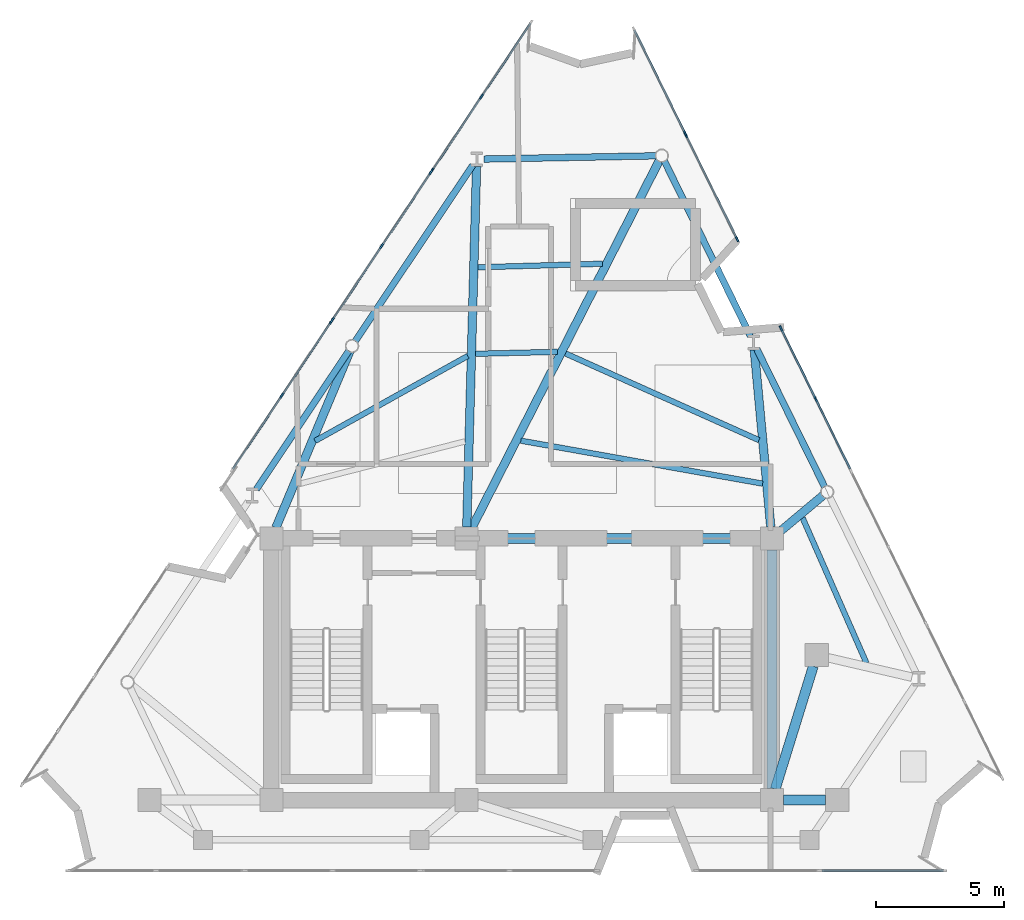
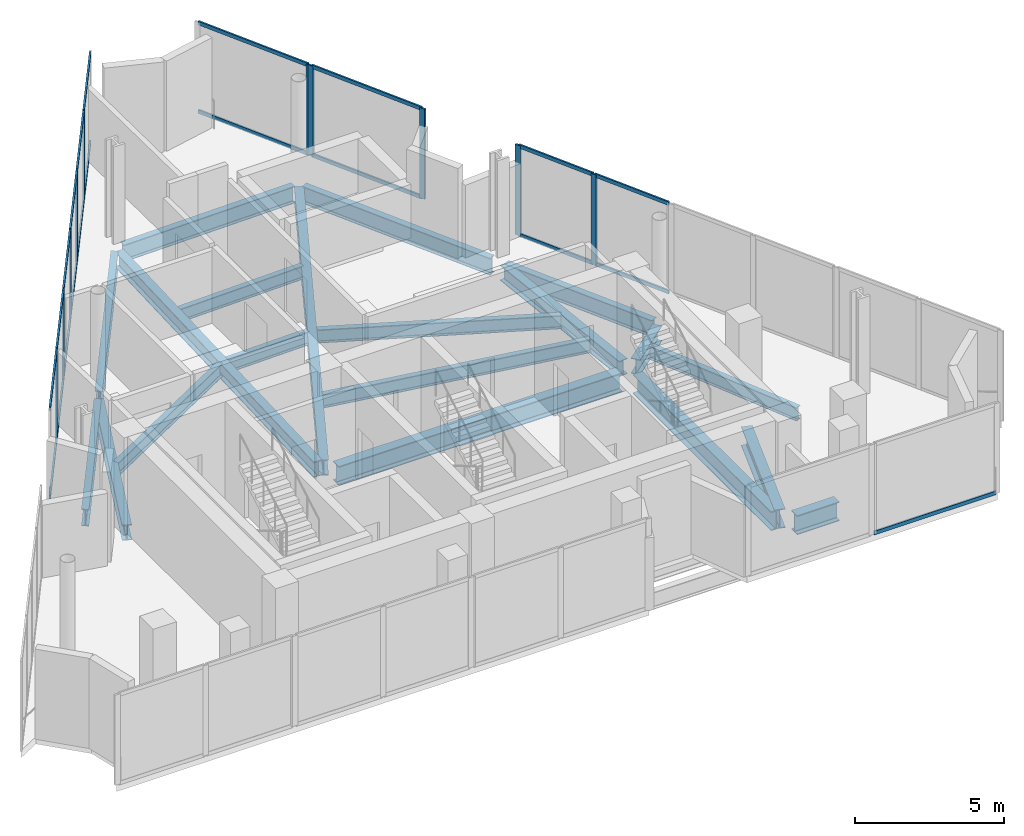
# One storey, part 3 of 9: 33 members, 20 beams, 7 elements without a shape of their own.
"""IFC4 building model written with IfcOpenShell, lengths in metres."""

from ifc_helpers import new_model, si_unit, direction, frame, origin, origin_2d, place, context, subcontext, project, spatial, rectangle, i_section, extrude, material, layer, layer_set, material_profile, profile_set, type_object, element, aggregate, save


model = new_model("IFC4")

# Units and contexts
model_context = context("Model", 3, precision=1e-05, world=origin(), true_north=direction((0.0, 1.0)))
body_context = subcontext(model_context, "Body", "Model", "MODEL_VIEW")
ifc_project = project(units=[si_unit("LENGTHUNIT", "METRE"), si_unit("AREAUNIT", "SQUARE_METRE"), si_unit("VOLUMEUNIT", "CUBIC_METRE"), si_unit("PLANEANGLEUNIT", "RADIAN"), si_unit("MASSUNIT", "GRAM", prefix="KILO")], contexts=[model_context])

# Site, building, storey
site_placement = place(None, origin())
site = spatial("IfcSite", under=ifc_project, at=site_placement, CompositionType="ELEMENT")
building_placement = place(site_placement, origin())
building = spatial("IfcBuilding", under=site, at=building_placement, Name="Almagre Mirador Tower", CompositionType="ELEMENT")
storey_placement = place(building_placement, frame((0.0, 0.0, 306.5)))
storey = spatial("IfcBuildingStorey", under=building, at=storey_placement, Name="L79", CompositionType="ELEMENT", Elevation=306.5)

# Beams
ifc_material_1 = material(Name="Steel ASTM A992 Grade 50", Category="steel")
ifc_material_profile_1 = material_profile(ifc_material_1, i_section(OverallWidth=0.214111328125, OverallDepth=0.549072265625, WebThickness=0.0146484375, FlangeThickness=0.023681640625, FilletRadius=0.01806640625, at=origin_2d()), Name="W21X93")
ifc_profile_set_1 = profile_set([ifc_material_profile_1], Name="Steel ASTM A992 Grade 50")
beam_type_1 = type_object("IfcBeamType", Name="BM-JST-W21X93", PredefinedType="JOIST", material=ifc_profile_set_1)
beam_1_placement = place(storey_placement, frame((50.740966796875, 9.88671875, -0.574462890625), z_axis=(-0.402759773965, 0.915305721863, 0.0), x_axis=(-0.915305721863, -0.402759773965, 0.0)))
element("IfcBeam", 1, at=beam_1_placement, inside=storey, type_object=beam_type_1, Name="L79 secondary floor joist PC05-PC06.2", PredefinedType="JOIST", context=body_context, shape_type="SweptSolid", body=[
    extrude(i_section(OverallWidth=0.214111328125, OverallDepth=0.549072265625, WebThickness=0.0146484375, FlangeThickness=0.023681640625, FilletRadius=0.01806640625, at=origin_2d()), origin(), (0.0, 0.0, 1.0), 6.1865234375),
])
beam_2_placement = place(storey_placement, frame((46.550048828125, 18.57763671875, -0.574462890625), z_axis=(-0.912603271466, 0.408846265617, 0.0), x_axis=(-0.408846265617, -0.912603271466, 0.0)))
element("IfcBeam", 2, at=beam_2_placement, inside=storey, type_object=beam_type_1, Name="L79 secondary floor joist PC07-PC08.2", PredefinedType="JOIST", context=body_context, shape_type="SweptSolid", body=[
    extrude(i_section(OverallWidth=0.214111328125, OverallDepth=0.549072265625, WebThickness=0.0146484375, FlangeThickness=0.023681640625, FilletRadius=0.01806640625, at=origin_2d()), origin(), (0.0, 0.0, 1.0), 8.259765625),
])
beam_3_placement = place(storey_placement, frame((46.692138671875, 16.883056640625, -0.574462890625), z_axis=(-0.984569639354, 0.174993214903, 0.0), x_axis=(-0.174993214903, -0.984569639354, 0.0)))
element("IfcBeam", 3, at=beam_3_placement, inside=storey, type_object=beam_type_1, Name="L79 secondary floor joist PC07-PC08.3", PredefinedType="JOIST", context=body_context, shape_type="SweptSolid", body=[
    extrude(i_section(OverallWidth=0.214111328125, OverallDepth=0.549072265625, WebThickness=0.0146484375, FlangeThickness=0.023681640625, FilletRadius=0.01806640625, at=origin_2d()), origin(), (0.0, 0.0, 1.0), 9.5693359375),
])
beam_4_placement = place(storey_placement, frame((40.4501953125, 25.452880859375, -0.574462890625), z_axis=(-0.999591141536, -0.028592827134, 0.0), x_axis=(0.028592827134, -0.999591141536, 0.0)))
element("IfcBeam", 4, at=beam_4_placement, inside=storey, type_object=beam_type_1, Name="L79 secondary floor joist PC08-PC09.1", PredefinedType="JOIST", context=body_context, shape_type="SweptSolid", body=[
    extrude(i_section(OverallWidth=0.214111328125, OverallDepth=0.549072265625, WebThickness=0.0146484375, FlangeThickness=0.023681640625, FilletRadius=0.01806640625, at=origin_2d()), origin(), (0.0, 0.0, 1.0), 4.849853515625),
])
beam_5_placement = place(storey_placement, frame((38.69677734375, 22.018310546875, -0.574462890625), z_axis=(-0.999725244584, -0.02344003715, 0.0), x_axis=(0.02344003715, -0.999725244584, 0.0)))
element("IfcBeam", 5, at=beam_5_placement, inside=storey, type_object=beam_type_1, Name="L79 secondary floor joist PC08-PC09.2", PredefinedType="JOIST", context=body_context, shape_type="SweptSolid", body=[
    extrude(i_section(OverallWidth=0.214111328125, OverallDepth=0.549072265625, WebThickness=0.0146484375, FlangeThickness=0.023681640625, FilletRadius=0.01806640625, at=origin_2d()), origin(), (0.0, 0.0, 1.0), 3.187255859375),
])
beam_6_placement = place(storey_placement, frame((35.201416015625, 21.859375, -0.574462890625), z_axis=(-0.873705351545, -0.486455505346, 0.0), x_axis=(0.486455505346, -0.873705351545, 0.0)))
element("IfcBeam", 6, at=beam_6_placement, inside=storey, type_object=beam_type_1, Name="L79 secondary floor joist PC09-PC10.2", PredefinedType="JOIST", context=body_context, shape_type="SweptSolid", body=[
    extrude(i_section(OverallWidth=0.214111328125, OverallDepth=0.549072265625, WebThickness=0.0146484375, FlangeThickness=0.023681640625, FilletRadius=0.01806640625, at=origin_2d()), origin(), (0.0, 0.0, 1.0), 6.8095703125),
])
ifc_material_2 = material(Name="Steel ASTM A992 Grade 50", Category="steel")
ifc_material_profile_2 = material_profile(ifc_material_2, i_section(OverallWidth=0.256103515625, OverallDepth=0.693115234375, WebThickness=0.014404296875, FlangeThickness=0.023681640625, FilletRadius=0.02197265625, at=origin_2d()), Name="W27X114")
ifc_profile_set_2 = profile_set([ifc_material_profile_2], Name="Steel ASTM A992 Grade 50")
beam_type_2 = type_object("IfcBeamType", Name="BM-SPN-W27X114", PredefinedType="SPANDREL", material=ifc_profile_set_2)
beam_7_placement = place(storey_placement, frame((49.10791015625, 16.75537109375, -0.646484375), z_axis=(-0.441280885173, 0.897369032439, 0.0), x_axis=(-0.897369032439, -0.441280885173, 0.0)))
element("IfcBeam", 7, at=beam_7_placement, inside=storey, type_object=beam_type_2, Name="L79 perimeter spandrel beam PC06-PC07", PredefinedType="SPANDREL", context=body_context, shape_type="SweptSolid", body=[
    extrude(i_section(OverallWidth=0.256103515625, OverallDepth=0.693115234375, WebThickness=0.014404296875, FlangeThickness=0.023681640625, FilletRadius=0.02197265625, at=origin_2d()), origin(), (0.0, 0.0, 1.0), 5.985107421875),
])
beam_8_placement = place(storey_placement, frame((46.215087890625, 22.6376953125, -0.646484375), z_axis=(-0.441260346392, 0.897379132085, 0.0), x_axis=(-0.897379132085, -0.441260346392, 0.0)))
element("IfcBeam", 8, at=beam_8_placement, inside=storey, type_object=beam_type_2, Name="L79 perimeter spandrel beam PC07-PC08", PredefinedType="SPANDREL", context=body_context, shape_type="SweptSolid", body=[
    extrude(i_section(OverallWidth=0.256103515625, OverallDepth=0.693115234375, WebThickness=0.014404296875, FlangeThickness=0.023681640625, FilletRadius=0.02197265625, at=origin_2d()), origin(), (0.0, 0.0, 1.0), 7.607666015625),
])
beam_9_placement = place(storey_placement, frame((42.541015625, 29.657958984375, -0.646484375), z_axis=(-0.999822125959, -0.018860446513, 0.0), x_axis=(0.018860446513, -0.999822125959, 0.0)))
element("IfcBeam", 9, at=beam_9_placement, inside=storey, type_object=beam_type_2, Name="L79 perimeter spandrel beam PC08-PC09", PredefinedType="SPANDREL", context=body_context, shape_type="SweptSolid", body=[
    extrude(i_section(OverallWidth=0.256103515625, OverallDepth=0.693115234375, WebThickness=0.014404296875, FlangeThickness=0.023681640625, FilletRadius=0.02197265625, at=origin_2d()), origin(), (0.0, 0.0, 1.0), 6.705322265625),
])
beam_10_placement = place(storey_placement, frame((35.393798828125, 29.2890625, -0.646484375), z_axis=(-0.555219210279, -0.831704051052, 0.0), x_axis=(0.831704051052, -0.555219210279, 0.0)))
element("IfcBeam", 10, at=beam_10_placement, inside=storey, type_object=beam_type_2, Name="L79 perimeter spandrel beam PC09-PC10", PredefinedType="SPANDREL", context=body_context, shape_type="SweptSolid", body=[
    extrude(i_section(OverallWidth=0.256103515625, OverallDepth=0.693115234375, WebThickness=0.014404296875, FlangeThickness=0.023681640625, FilletRadius=0.02197265625, at=origin_2d()), origin(), (0.0, 0.0, 1.0), 8.248291015625),
])
beam_11_placement = place(storey_placement, frame((30.56982421875, 22.06298828125, -0.646484375), z_axis=(-0.555229008561, -0.831697509947, 0.0), x_axis=(0.831697509947, -0.555229008561, 0.0)))
element("IfcBeam", 11, at=beam_11_placement, inside=storey, type_object=beam_type_2, Name="L79 perimeter spandrel beam PC10-PC11", PredefinedType="SPANDREL", context=body_context, shape_type="SweptSolid", body=[
    extrude(i_section(OverallWidth=0.256103515625, OverallDepth=0.693115234375, WebThickness=0.014404296875, FlangeThickness=0.023681640625, FilletRadius=0.02197265625, at=origin_2d()), origin(), (0.0, 0.0, 1.0), 6.49755859375),
])
ifc_material_3 = material(Name="Steel ASTM A992 Grade 50", Category="steel")
ifc_material_profile_3 = material_profile(ifc_material_3, i_section(OverallWidth=0.330078125, OverallDepth=0.635009765625, WebThickness=0.017822265625, FlangeThickness=0.031005859375, FilletRadius=0.02001953125, at=origin_2d()), Name="W24X162")
ifc_profile_set_3 = profile_set([ifc_material_profile_3], Name="Steel ASTM A992 Grade 50")
beam_type_3 = type_object("IfcBeamType", Name="BM-STL-W24X162", PredefinedType="BEAM", material=ifc_profile_set_3)
beam_12_placement = place(storey_placement, frame((49.03662109375, 16.41650390625, -0.617431640625), z_axis=(-0.766153543196, -0.642657566865, 0.0), x_axis=(0.642657566865, -0.766153543196, 0.0)))
element("IfcBeam", 12, at=beam_12_placement, inside=storey, type_object=beam_type_3, Name="L79 radial floor girder PC06-CC6", PredefinedType="BEAM", context=body_context, shape_type="SweptSolid", body=[
    extrude(i_section(OverallWidth=0.330078125, OverallDepth=0.635009765625, WebThickness=0.017822265625, FlangeThickness=0.031005859375, FilletRadius=0.02001953125, at=origin_2d()), origin(), (0.0, 0.0, 1.0), 2.14306640625),
])
beam_13_placement = place(storey_placement, frame((46.367431640625, 22.09814453125, -0.617431640625), z_axis=(0.092479594249, -0.995714579911, 0.0), x_axis=(0.995714579911, 0.092479594249, 0.0)))
element("IfcBeam", 13, at=beam_13_placement, inside=storey, type_object=beam_type_3, Name="L79 radial floor girder PC07-CC6", PredefinedType="BEAM", context=body_context, shape_type="SweptSolid", body=[
    extrude(i_section(OverallWidth=0.330078125, OverallDepth=0.635009765625, WebThickness=0.017822265625, FlangeThickness=0.031005859375, FilletRadius=0.02001953125, at=origin_2d()), origin(), (0.0, 0.0, 1.0), 6.929931640625),
])
beam_14_placement = place(storey_placement, frame((42.660888671875, 29.466064453125, -0.617431640625), z_axis=(-0.454605133062, -0.890693085745, 0.0), x_axis=(0.890693085745, -0.454605133062, 0.0)))
element("IfcBeam", 14, at=beam_14_placement, inside=storey, type_object=beam_type_3, Name="L79 radial floor girder PC08-CC5", PredefinedType="BEAM", context=body_context, shape_type="SweptSolid", body=[
    extrude(i_section(OverallWidth=0.330078125, OverallDepth=0.635009765625, WebThickness=0.017822265625, FlangeThickness=0.031005859375, FilletRadius=0.02001953125, at=origin_2d()), origin(), (0.0, 0.0, 1.0), 16.072021484375),
])
beam_15_placement = place(storey_placement, frame((35.544189453125, 29.2412109375, -0.617431640625), z_axis=(-0.027200697889, -0.999629992564, 0.0), x_axis=(0.999629992564, -0.027200697889, 0.0)))
element("IfcBeam", 15, at=beam_15_placement, inside=storey, type_object=beam_type_3, Name="L79 radial floor girder PC09-CC5", PredefinedType="BEAM", context=body_context, shape_type="SweptSolid", body=[
    extrude(i_section(OverallWidth=0.330078125, OverallDepth=0.635009765625, WebThickness=0.017822265625, FlangeThickness=0.031005859375, FilletRadius=0.02001953125, at=origin_2d()), origin(), (0.0, 0.0, 1.0), 14.046630859375),
])
beam_16_placement = place(storey_placement, frame((30.60693359375, 22.043212890625, -0.617431640625), z_axis=(-0.386546157571, -0.922270062437, 0.0), x_axis=(0.922270062437, -0.386546157571, 0.0)))
element("IfcBeam", 16, at=beam_16_placement, inside=storey, type_object=beam_type_3, Name="L79 radial floor girder PC10-CC4", PredefinedType="BEAM", context=body_context, shape_type="SweptSolid", body=[
    extrude(i_section(OverallWidth=0.330078125, OverallDepth=0.635009765625, WebThickness=0.017822265625, FlangeThickness=0.031005859375, FilletRadius=0.02001953125, at=origin_2d()), origin(), (0.0, 0.0, 1.0), 7.457763671875),
])
ifc_material_4 = material(Name="Steel ASTM A992 Grade 50", Category="steel")
ifc_material_profile_4 = material_profile(ifc_material_4, i_section(OverallWidth=0.384033203125, OverallDepth=0.784912109375, WebThickness=0.019775390625, FlangeThickness=0.033447265625, FilletRadius=0.02392578125, at=origin_2d()), Name="W30X211")
ifc_profile_set_4 = profile_set([ifc_material_profile_4], Name="Steel ASTM A992 Grade 50")
beam_type_4 = type_object("IfcBeamType", Name="BM-STL-W30X211", PredefinedType="BEAM", material=ifc_profile_set_4)
beam_17_placement = place(storey_placement, frame((35.60009765625, 14.75, -0.6923828125), z_axis=(1.0, 0.0, 0.0), x_axis=(0.0, 1.0, 0.0)))
element("IfcBeam", 17, at=beam_17_placement, inside=storey, type_object=beam_type_4, Name="L79 core tie girder CC5-CC6", PredefinedType="BEAM", context=body_context, shape_type="SweptSolid", body=[
    extrude(i_section(OverallWidth=0.384033203125, OverallDepth=0.784912109375, WebThickness=0.019775390625, FlangeThickness=0.033447265625, FilletRadius=0.02392578125, at=origin_2d()), origin(), (0.0, 0.0, 1.0), 11.0),
])
beam_18_placement = place(storey_placement, frame((47.050048828125, 5.0, -0.6923828125), z_axis=(0.0, 1.0, 0.0), x_axis=(-1.0, 0.0, 0.0)))
element("IfcBeam", 18, at=beam_18_placement, inside=storey, type_object=beam_type_4, Name="L79 core tie girder CC3-CC6", PredefinedType="BEAM", context=body_context, shape_type="SweptSolid", body=[
    extrude(i_section(OverallWidth=0.384033203125, OverallDepth=0.784912109375, WebThickness=0.019775390625, FlangeThickness=0.033447265625, FilletRadius=0.02392578125, at=origin_2d()), origin(), (0.0, 0.0, 1.0), 9.300048828125),
])
beam_19_placement = place(storey_placement, frame((49.14990234375, 4.550048828125, -0.6923828125), z_axis=(-1.0, 0.0, 0.0), x_axis=(0.0, -1.0, 0.0)))
element("IfcBeam", 19, at=beam_19_placement, inside=storey, type_object=beam_type_4, Name="L79 core tie girder MC2-CC3", PredefinedType="BEAM", context=body_context, shape_type="SweptSolid", body=[
    extrude(i_section(OverallWidth=0.384033203125, OverallDepth=0.784912109375, WebThickness=0.019775390625, FlangeThickness=0.033447265625, FilletRadius=0.02392578125, at=origin_2d()), origin(), (0.0, 0.0, 1.0), 1.64990234375),
])
beam_20_placement = place(storey_placement, frame((48.6669921875, 9.77001953125, -0.6923828125), z_axis=(-0.295912212866, -0.955215139263, 0.0), x_axis=(0.955215139263, -0.295912212866, 0.0)))
element("IfcBeam", 20, at=beam_20_placement, inside=storey, type_object=beam_type_4, Name="L79 core tie girder MC3-CC3", PredefinedType="BEAM", context=body_context, shape_type="SweptSolid", body=[
    extrude(i_section(OverallWidth=0.384033203125, OverallDepth=0.784912109375, WebThickness=0.019775390625, FlangeThickness=0.033447265625, FilletRadius=0.02392578125, at=origin_2d()), origin(), (0.0, 0.0, 1.0), 5.0146484375),
])

# Curtain wall, members
ifc_material_5 = material(Name="Black anodized aluminium", Category="aluminium")
ifc_layer = layer(ifc_material_5, 0.2099609375)
ifc_layer_set = layer_set([ifc_layer], Name="Black anodized aluminium")
curtain_wall_type = type_object("IfcCurtainWallType", Name="CW-CRN-SYS", PredefinedType="NOTDEFINED", material=ifc_layer_set)
curtain_wall_1_placement = place(storey_placement, origin())
curtain_wall_1 = element("IfcCurtainWall", 21, at=curtain_wall_1_placement, inside=storey, type_object=curtain_wall_type, Name="L79 curtain wall run 03", PredefinedType="NOTDEFINED")
ifc_material_6 = material(Name="Black anodized aluminium", Category="aluminium")
ifc_material_profile_5 = material_profile(ifc_material_6, rectangle(XDim=0.070068359375, YDim=0.2099609375, at=origin_2d()), Name="CWM70X210")
ifc_profile_set_5 = profile_set([ifc_material_profile_5], Name="Black anodized aluminium")
member_type_1 = type_object("IfcMemberType", Name="MBR-CWM70X210", PredefinedType="MULLION", material=ifc_profile_set_5)
member_1_placement = place(storey_placement, frame((27.95849609375, 20.312255859375, 0.0), z_axis=(0.0, 0.0, 1.0), x_axis=(-0.831705218561, 0.555217461378, 0.0)))
member_1 = element("IfcMember", 22, at=member_1_placement, type_object=member_type_1, Name="CW-6 mullion 2", PredefinedType="MULLION", context=body_context, shape_type="SweptSolid", body=[
    extrude(rectangle(XDim=0.070068359375, YDim=0.2099609375, at=origin_2d()), origin(), (0.0, 0.0, 1.0), 3.699951171875),
])
member_2_placement = place(storey_placement, frame((29.883056640625, 23.195068359375, 0.0), z_axis=(0.0, 0.0, 1.0), x_axis=(-0.831705218561, 0.555217461378, 0.0)))
member_2 = element("IfcMember", 23, at=member_2_placement, type_object=member_type_1, Name="CW-6 mullion 3", PredefinedType="MULLION", context=body_context, shape_type="SweptSolid", body=[
    extrude(rectangle(XDim=0.070068359375, YDim=0.2099609375, at=origin_2d()), origin(), (0.0, 0.0, 1.0), 3.699951171875),
])

curtain_wall_2_placement = place(storey_placement, origin())
curtain_wall_2 = element("IfcCurtainWall", 24, at=curtain_wall_2_placement, inside=storey, type_object=curtain_wall_type, Name="L79 curtain wall run 04", PredefinedType="NOTDEFINED")
member_3_placement = place(storey_placement, frame((29.922119140625, 23.25341796875, 0.0), z_axis=(0.0, 0.0, 1.0), x_axis=(-0.831694222198, 0.555233933367, 0.0)))
member_3 = element("IfcMember", 25, at=member_3_placement, type_object=member_type_1, Name="CW-6 mullion 1", PredefinedType="MULLION", context=body_context, shape_type="SweptSolid", body=[
    extrude(rectangle(XDim=0.070068359375, YDim=0.2099609375, at=origin_2d()), origin(), (0.0, 0.0, 1.0), 3.699951171875),
])
member_4_placement = place(storey_placement, frame((31.8466796875, 26.136474609375, 0.0), z_axis=(0.0, 0.0, 1.0), x_axis=(-0.831694222198, 0.555233933367, 0.0)))
member_4 = element("IfcMember", 26, at=member_4_placement, type_object=member_type_1, Name="CW-6 mullion 2", PredefinedType="MULLION", context=body_context, shape_type="SweptSolid", body=[
    extrude(rectangle(XDim=0.070068359375, YDim=0.2099609375, at=origin_2d()), origin(), (0.0, 0.0, 1.0), 3.699951171875),
])
member_5_placement = place(storey_placement, frame((33.771484375, 29.019287109375, 0.0), z_axis=(0.0, 0.0, 1.0), x_axis=(-0.831694222198, 0.555233933367, 0.0)))
member_5 = element("IfcMember", 27, at=member_5_placement, type_object=member_type_1, Name="CW-6 mullion 3", PredefinedType="MULLION", context=body_context, shape_type="SweptSolid", body=[
    extrude(rectangle(XDim=0.070068359375, YDim=0.2099609375, at=origin_2d()), origin(), (0.0, 0.0, 1.0), 3.699951171875),
])

curtain_wall_3_placement = place(storey_placement, origin())
curtain_wall_3 = element("IfcCurtainWall", 28, at=curtain_wall_3_placement, inside=storey, type_object=curtain_wall_type, Name="L79 curtain wall run 05", PredefinedType="NOTDEFINED")
member_6_placement = place(storey_placement, frame((33.810302734375, 29.07763671875, 0.0), z_axis=(0.0, 0.0, 1.0), x_axis=(-0.831705218561, 0.555217461378, 0.0)))
member_6 = element("IfcMember", 29, at=member_6_placement, type_object=member_type_1, Name="CW-6 mullion 1", PredefinedType="MULLION", context=body_context, shape_type="SweptSolid", body=[
    extrude(rectangle(XDim=0.070068359375, YDim=0.2099609375, at=origin_2d()), origin(), (0.0, 0.0, 1.0), 3.699951171875),
])
member_7_placement = place(storey_placement, frame((35.73486328125, 31.960693359375, 0.0), z_axis=(0.0, 0.0, 1.0), x_axis=(-0.831705218561, 0.555217461378, 0.0)))
member_7 = element("IfcMember", 30, at=member_7_placement, type_object=member_type_1, Name="CW-6 mullion 2", PredefinedType="MULLION", context=body_context, shape_type="SweptSolid", body=[
    extrude(rectangle(XDim=0.070068359375, YDim=0.2099609375, at=origin_2d()), origin(), (0.0, 0.0, 1.0), 3.699951171875),
])

# Curtain wall, member
curtain_wall_4_placement = place(storey_placement, origin())
curtain_wall_4 = element("IfcCurtainWall", 31, at=curtain_wall_4_placement, inside=storey, type_object=curtain_wall_type, Name="L79 curtain wall run 06", PredefinedType="NOTDEFINED")
member_8_placement = place(storey_placement, frame((43.673095703125, 30.52685546875, 0.0), z_axis=(0.0, 0.0, 1.0), x_axis=(0.897394697223, 0.441228690585, 0.0)))
member_8 = element("IfcMember", 32, at=member_8_placement, type_object=member_type_1, Name="CW-6 mullion 2", PredefinedType="MULLION", context=body_context, shape_type="SweptSolid", body=[
    extrude(rectangle(XDim=0.070068359375, YDim=0.2099609375, at=origin_2d()), origin(), (0.0, 0.0, 1.0), 3.699951171875),
])

# Curtain wall, members
curtain_wall_5_placement = place(storey_placement, origin())
curtain_wall_5 = element("IfcCurtainWall", 33, at=curtain_wall_5_placement, inside=storey, type_object=curtain_wall_type, Name="L79 curtain wall run 07", PredefinedType="NOTDEFINED")
member_9_placement = place(storey_placement, frame((43.703857421875, 30.464111328125, 0.0), z_axis=(0.0, 0.0, 1.0), x_axis=(0.897394697223, 0.441228690585, 0.0)))
member_9 = element("IfcMember", 34, at=member_9_placement, type_object=member_type_1, Name="CW-6 mullion 1", PredefinedType="MULLION", context=body_context, shape_type="SweptSolid", body=[
    extrude(rectangle(XDim=0.070068359375, YDim=0.2099609375, at=origin_2d()), origin(), (0.0, 0.0, 1.0), 3.699951171875),
])
member_10_placement = place(storey_placement, frame((45.696533203125, 26.41162109375, 0.0), z_axis=(0.0, 0.0, 1.0), x_axis=(0.897394697223, 0.441228690585, 0.0)))
member_10 = element("IfcMember", 35, at=member_10_placement, type_object=member_type_1, Name="CW-6 mullion 2", PredefinedType="MULLION", context=body_context, shape_type="SweptSolid", body=[
    extrude(rectangle(XDim=0.070068359375, YDim=0.2099609375, at=origin_2d()), origin(), (0.0, 0.0, 1.0), 3.699951171875),
])

curtain_wall_6_placement = place(storey_placement, origin())
curtain_wall_6 = element("IfcCurtainWall", 36, at=curtain_wall_6_placement, inside=storey, type_object=curtain_wall_type, Name="L79 curtain wall run 08", PredefinedType="NOTDEFINED")
member_11_placement = place(storey_placement, frame((47.404541015625, 22.9384765625, 0.0), z_axis=(0.0, 0.0, 1.0), x_axis=(0.897359274897, 0.44130072712, 0.0)))
member_11 = element("IfcMember", 37, at=member_11_placement, type_object=member_type_1, Name="CW-6 mullion 1", PredefinedType="MULLION", context=body_context, shape_type="SweptSolid", body=[
    extrude(rectangle(XDim=0.070068359375, YDim=0.2099609375, at=origin_2d()), origin(), (0.0, 0.0, 1.0), 3.699951171875),
])
member_12_placement = place(storey_placement, frame((48.758544921875, 20.184814453125, 0.0), z_axis=(0.0, 0.0, 1.0), x_axis=(0.897359274897, 0.44130072712, 0.0)))
member_12 = element("IfcMember", 38, at=member_12_placement, type_object=member_type_1, Name="CW-6 mullion 2", PredefinedType="MULLION", context=body_context, shape_type="SweptSolid", body=[
    extrude(rectangle(XDim=0.070068359375, YDim=0.2099609375, at=origin_2d()), origin(), (0.0, 0.0, 1.0), 3.699951171875),
])

# Member
ifc_material_7 = material(Name="Black anodized aluminium", Category="aluminium")
ifc_material_profile_6 = material_profile(ifc_material_7, rectangle(XDim=0.06494140625, YDim=0.14990234375, at=origin_2d()), Name="CWT65X150")
ifc_profile_set_6 = profile_set([ifc_material_profile_6], Name="Black anodized aluminium")
member_type_2 = type_object("IfcMemberType", Name="MBR-CWT65X150", PredefinedType="USERDEFINED", material=ifc_profile_set_6)
member_13_placement = place(storey_placement, frame((26.053466796875, 17.458251953125, 0.032470703125), z_axis=(0.55523091798, 0.831696235244, 0.0), x_axis=(-0.831696235244, 0.55523091798, 0.0)))
member_13 = element("IfcMember", 39, at=member_13_placement, type_object=member_type_2, Name="CW-6 transom 1.1", ObjectType="TRANSOM", PredefinedType="USERDEFINED", context=body_context, shape_type="SweptSolid", body=[
    extrude(rectangle(XDim=0.06494140625, YDim=0.14990234375, at=origin_2d()), origin(), (0.0, 0.0, 1.0), 3.396240234375),
])

member_14_placement = place(storey_placement, frame((26.053466796875, 17.458251953125, 3.66748046875), z_axis=(0.55523091798, 0.831696235244, 0.0), x_axis=(-0.831696235244, 0.55523091798, 0.0)))
member_14 = element("IfcMember", 40, at=member_14_placement, type_object=member_type_2, Name="CW-6 transom 1.2", ObjectType="TRANSOM", PredefinedType="USERDEFINED", context=body_context, shape_type="SweptSolid", body=[
    extrude(rectangle(XDim=0.06494140625, YDim=0.14990234375, at=origin_2d()), origin(), (0.0, 0.0, 1.0), 3.396240234375),
])

member_15_placement = place(storey_placement, frame((27.97802734375, 20.34130859375, 0.032470703125), z_axis=(0.55523091798, 0.831696235244, 0.0), x_axis=(-0.831696235244, 0.55523091798, 0.0)))
member_15 = element("IfcMember", 41, at=member_15_placement, type_object=member_type_2, Name="CW-6 transom 2.1", ObjectType="TRANSOM", PredefinedType="USERDEFINED", context=body_context, shape_type="SweptSolid", body=[
    extrude(rectangle(XDim=0.06494140625, YDim=0.14990234375, at=origin_2d()), origin(), (0.0, 0.0, 1.0), 3.396240234375),
])

member_16_placement = place(storey_placement, frame((27.97802734375, 20.34130859375, 3.66748046875), z_axis=(0.55523091798, 0.831696235244, 0.0), x_axis=(-0.831696235244, 0.55523091798, 0.0)))
member_16 = element("IfcMember", 42, at=member_16_placement, type_object=member_type_2, Name="CW-6 transom 2.2", ObjectType="TRANSOM", PredefinedType="USERDEFINED", context=body_context, shape_type="SweptSolid", body=[
    extrude(rectangle(XDim=0.06494140625, YDim=0.14990234375, at=origin_2d()), origin(), (0.0, 0.0, 1.0), 3.396240234375),
])

aggregate(curtain_wall_1, [member_1, member_2, member_13, member_14, member_15, member_16])

member_17_placement = place(storey_placement, frame((29.94140625, 23.282470703125, 0.032470703125), z_axis=(0.55523091798, 0.831696235244, 0.0), x_axis=(-0.831696235244, 0.55523091798, 0.0)))
member_17 = element("IfcMember", 43, at=member_17_placement, type_object=member_type_2, Name="CW-6 transom 1.1", ObjectType="TRANSOM", PredefinedType="USERDEFINED", context=body_context, shape_type="SweptSolid", body=[
    extrude(rectangle(XDim=0.06494140625, YDim=0.14990234375, at=origin_2d()), origin(), (0.0, 0.0, 1.0), 3.396240234375),
])

member_18_placement = place(storey_placement, frame((29.94140625, 23.282470703125, 3.66748046875), z_axis=(0.55523091798, 0.831696235244, 0.0), x_axis=(-0.831696235244, 0.55523091798, 0.0)))
member_18 = element("IfcMember", 44, at=member_18_placement, type_object=member_type_2, Name="CW-6 transom 1.2", ObjectType="TRANSOM", PredefinedType="USERDEFINED", context=body_context, shape_type="SweptSolid", body=[
    extrude(rectangle(XDim=0.06494140625, YDim=0.14990234375, at=origin_2d()), origin(), (0.0, 0.0, 1.0), 3.396240234375),
])

member_19_placement = place(storey_placement, frame((31.8662109375, 26.16552734375, 0.032470703125), z_axis=(0.55523091798, 0.831696235244, 0.0), x_axis=(-0.831696235244, 0.55523091798, 0.0)))
member_19 = element("IfcMember", 45, at=member_19_placement, type_object=member_type_2, Name="CW-6 transom 2.1", ObjectType="TRANSOM", PredefinedType="USERDEFINED", context=body_context, shape_type="SweptSolid", body=[
    extrude(rectangle(XDim=0.06494140625, YDim=0.14990234375, at=origin_2d()), origin(), (0.0, 0.0, 1.0), 3.396240234375),
])

member_20_placement = place(storey_placement, frame((31.8662109375, 26.16552734375, 3.66748046875), z_axis=(0.55523091798, 0.831696235244, 0.0), x_axis=(-0.831696235244, 0.55523091798, 0.0)))
member_20 = element("IfcMember", 46, at=member_20_placement, type_object=member_type_2, Name="CW-6 transom 2.2", ObjectType="TRANSOM", PredefinedType="USERDEFINED", context=body_context, shape_type="SweptSolid", body=[
    extrude(rectangle(XDim=0.06494140625, YDim=0.14990234375, at=origin_2d()), origin(), (0.0, 0.0, 1.0), 3.396240234375),
])

aggregate(curtain_wall_2, [member_3, member_4, member_5, member_17, member_18, member_19, member_20])

member_21_placement = place(storey_placement, frame((33.82958984375, 29.106689453125, 0.032470703125), z_axis=(0.555197724745, 0.831718393711, 0.0), x_axis=(-0.831718393711, 0.555197724745, 0.0)))
member_21 = element("IfcMember", 47, at=member_21_placement, type_object=member_type_2, Name="CW-6 transom 1.1", ObjectType="TRANSOM", PredefinedType="USERDEFINED", context=body_context, shape_type="SweptSolid", body=[
    extrude(rectangle(XDim=0.06494140625, YDim=0.14990234375, at=origin_2d()), origin(), (0.0, 0.0, 1.0), 3.396484375),
])

member_22_placement = place(storey_placement, frame((33.82958984375, 29.106689453125, 3.66748046875), z_axis=(0.555197724745, 0.831718393711, 0.0), x_axis=(-0.831718393711, 0.555197724745, 0.0)))
member_22 = element("IfcMember", 48, at=member_22_placement, type_object=member_type_2, Name="CW-6 transom 1.2", ObjectType="TRANSOM", PredefinedType="USERDEFINED", context=body_context, shape_type="SweptSolid", body=[
    extrude(rectangle(XDim=0.06494140625, YDim=0.14990234375, at=origin_2d()), origin(), (0.0, 0.0, 1.0), 3.396484375),
])

member_23_placement = place(storey_placement, frame((35.75439453125, 31.98974609375, 0.032470703125), z_axis=(0.555197724745, 0.831718393711, 0.0), x_axis=(-0.831718393711, 0.555197724745, 0.0)))
member_23 = element("IfcMember", 49, at=member_23_placement, type_object=member_type_2, Name="CW-6 transom 2.1", ObjectType="TRANSOM", PredefinedType="USERDEFINED", context=body_context, shape_type="SweptSolid", body=[
    extrude(rectangle(XDim=0.06494140625, YDim=0.14990234375, at=origin_2d()), origin(), (0.0, 0.0, 1.0), 3.396484375),
])

member_24_placement = place(storey_placement, frame((35.75439453125, 31.98974609375, 3.66748046875), z_axis=(0.555197724745, 0.831718393711, 0.0), x_axis=(-0.831718393711, 0.555197724745, 0.0)))
member_24 = element("IfcMember", 50, at=member_24_placement, type_object=member_type_2, Name="CW-6 transom 2.2", ObjectType="TRANSOM", PredefinedType="USERDEFINED", context=body_context, shape_type="SweptSolid", body=[
    extrude(rectangle(XDim=0.06494140625, YDim=0.14990234375, at=origin_2d()), origin(), (0.0, 0.0, 1.0), 3.396484375),
])

aggregate(curtain_wall_3, [member_6, member_7, member_21, member_22, member_23, member_24])

member_25_placement = place(storey_placement, frame((41.696044921875, 34.548095703125, 0.032470703125), z_axis=(0.441229041976, -0.897394524452, 0.0), x_axis=(0.897394524452, 0.441229041976, 0.0)))
member_25 = element("IfcMember", 51, at=member_25_placement, type_object=member_type_2, Name="CW-6 transom 1.1", ObjectType="TRANSOM", PredefinedType="USERDEFINED", context=body_context, shape_type="SweptSolid", body=[
    extrude(rectangle(XDim=0.06494140625, YDim=0.14990234375, at=origin_2d()), origin(), (0.0, 0.0, 1.0), 4.44580078125),
])

member_26_placement = place(storey_placement, frame((41.696044921875, 34.548095703125, 3.66748046875), z_axis=(0.441229041976, -0.897394524452, 0.0), x_axis=(0.897394524452, 0.441229041976, 0.0)))
member_26 = element("IfcMember", 52, at=member_26_placement, type_object=member_type_2, Name="CW-6 transom 1.2", ObjectType="TRANSOM", PredefinedType="USERDEFINED", context=body_context, shape_type="SweptSolid", body=[
    extrude(rectangle(XDim=0.06494140625, YDim=0.14990234375, at=origin_2d()), origin(), (0.0, 0.0, 1.0), 4.44580078125),
])

aggregate(curtain_wall_4, [member_8, member_25, member_26])

member_27_placement = place(storey_placement, frame((43.719482421875, 30.4326171875, 0.032470703125), z_axis=(0.44120656082, -0.89740557759, 0.0), x_axis=(0.89740557759, 0.44120656082, 0.0)))
member_27 = element("IfcMember", 53, at=member_27_placement, type_object=member_type_2, Name="CW-6 transom 1.1", ObjectType="TRANSOM", PredefinedType="USERDEFINED", context=body_context, shape_type="SweptSolid", body=[
    extrude(rectangle(XDim=0.06494140625, YDim=0.14990234375, at=origin_2d()), origin(), (0.0, 0.0, 1.0), 4.445556640625),
])

member_28_placement = place(storey_placement, frame((43.719482421875, 30.4326171875, 3.66748046875), z_axis=(0.44120656082, -0.89740557759, 0.0), x_axis=(0.89740557759, 0.44120656082, 0.0)))
member_28 = element("IfcMember", 54, at=member_28_placement, type_object=member_type_2, Name="CW-6 transom 1.2", ObjectType="TRANSOM", PredefinedType="USERDEFINED", context=body_context, shape_type="SweptSolid", body=[
    extrude(rectangle(XDim=0.06494140625, YDim=0.14990234375, at=origin_2d()), origin(), (0.0, 0.0, 1.0), 4.445556640625),
])

aggregate(curtain_wall_5, [member_9, member_10, member_27, member_28])

member_29_placement = place(storey_placement, frame((47.419921875, 22.906982421875, 0.032470703125), z_axis=(0.4413089072, -0.897355252075, 0.0), x_axis=(0.897355252075, 0.4413089072, 0.0)))
member_29 = element("IfcMember", 55, at=member_29_placement, type_object=member_type_2, Name="CW-6 transom 1.1", ObjectType="TRANSOM", PredefinedType="USERDEFINED", context=body_context, shape_type="SweptSolid", body=[
    extrude(rectangle(XDim=0.06494140625, YDim=0.14990234375, at=origin_2d()), origin(), (0.0, 0.0, 1.0), 2.99853515625),
])

member_30_placement = place(storey_placement, frame((47.419921875, 22.906982421875, 3.66748046875), z_axis=(0.4413089072, -0.897355252075, 0.0), x_axis=(0.897355252075, 0.4413089072, 0.0)))
member_30 = element("IfcMember", 56, at=member_30_placement, type_object=member_type_2, Name="CW-6 transom 1.2", ObjectType="TRANSOM", PredefinedType="USERDEFINED", context=body_context, shape_type="SweptSolid", body=[
    extrude(rectangle(XDim=0.06494140625, YDim=0.14990234375, at=origin_2d()), origin(), (0.0, 0.0, 1.0), 2.99853515625),
])

member_31_placement = place(storey_placement, frame((48.774169921875, 20.153564453125, 0.032470703125), z_axis=(0.4413089072, -0.897355252075, 0.0), x_axis=(0.897355252075, 0.4413089072, 0.0)))
member_31 = element("IfcMember", 57, at=member_31_placement, type_object=member_type_2, Name="CW-6 transom 2.1", ObjectType="TRANSOM", PredefinedType="USERDEFINED", context=body_context, shape_type="SweptSolid", body=[
    extrude(rectangle(XDim=0.06494140625, YDim=0.14990234375, at=origin_2d()), origin(), (0.0, 0.0, 1.0), 2.99853515625),
])

member_32_placement = place(storey_placement, frame((48.774169921875, 20.153564453125, 3.66748046875), z_axis=(0.4413089072, -0.897355252075, 0.0), x_axis=(0.897355252075, 0.4413089072, 0.0)))
member_32 = element("IfcMember", 58, at=member_32_placement, type_object=member_type_2, Name="CW-6 transom 2.2", ObjectType="TRANSOM", PredefinedType="USERDEFINED", context=body_context, shape_type="SweptSolid", body=[
    extrude(rectangle(XDim=0.06494140625, YDim=0.14990234375, at=origin_2d()), origin(), (0.0, 0.0, 1.0), 2.99853515625),
])

aggregate(curtain_wall_6, [member_11, member_12, member_29, member_30, member_31, member_32])

# Curtain wall, member
curtain_wall_7_placement = place(storey_placement, origin())
curtain_wall_7 = element("IfcCurtainWall", 59, at=curtain_wall_7_placement, inside=storey, type_object=curtain_wall_type, Name="L79 curtain wall run 11", PredefinedType="NOTDEFINED")
member_33_placement = place(storey_placement, frame((53.729736328125, 1.800048828125, 0.032470703125), z_axis=(-1.0, 0.0, 0.0), x_axis=(0.0, -1.0, 0.0)))
member_33 = element("IfcMember", 60, at=member_33_placement, type_object=member_type_2, Name="CW-6 transom 1.1", ObjectType="TRANSOM", PredefinedType="USERDEFINED", context=body_context, shape_type="SweptSolid", body=[
    extrude(rectangle(XDim=0.06494140625, YDim=0.14990234375, at=origin_2d()), origin(), (0.0, 0.0, 1.0), 4.7236328125),
])
aggregate(curtain_wall_7, [member_33])

save(model, "model.ifc")
